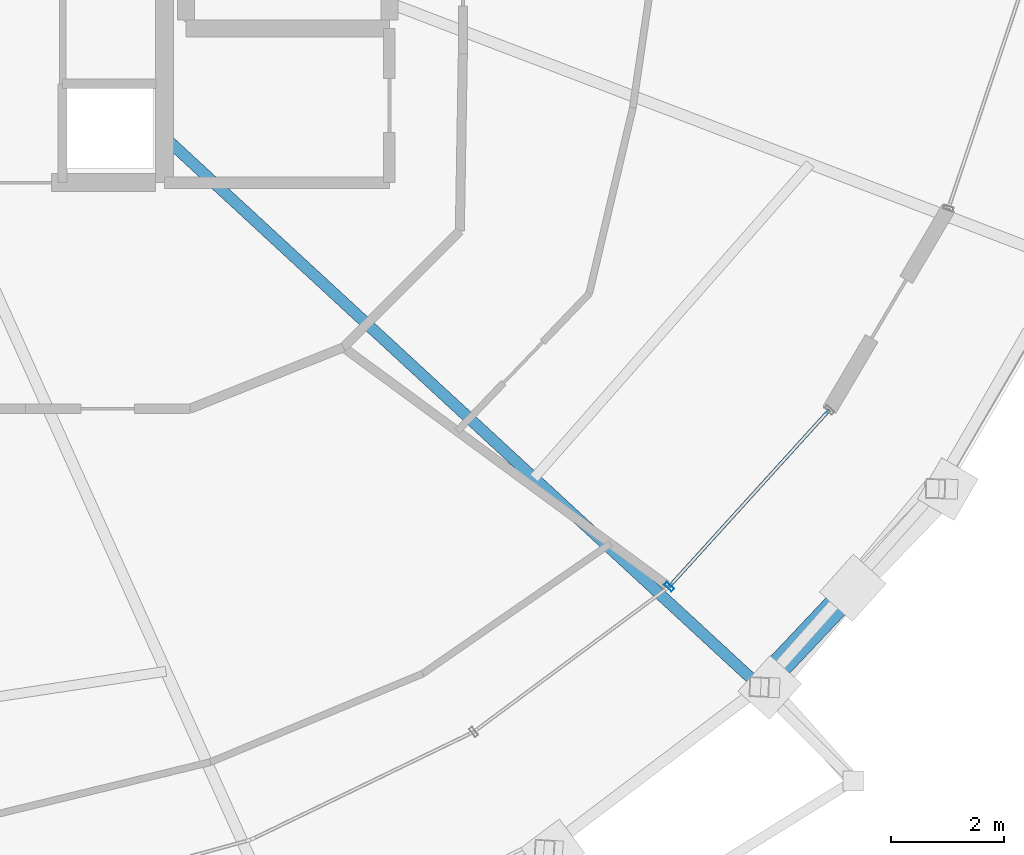
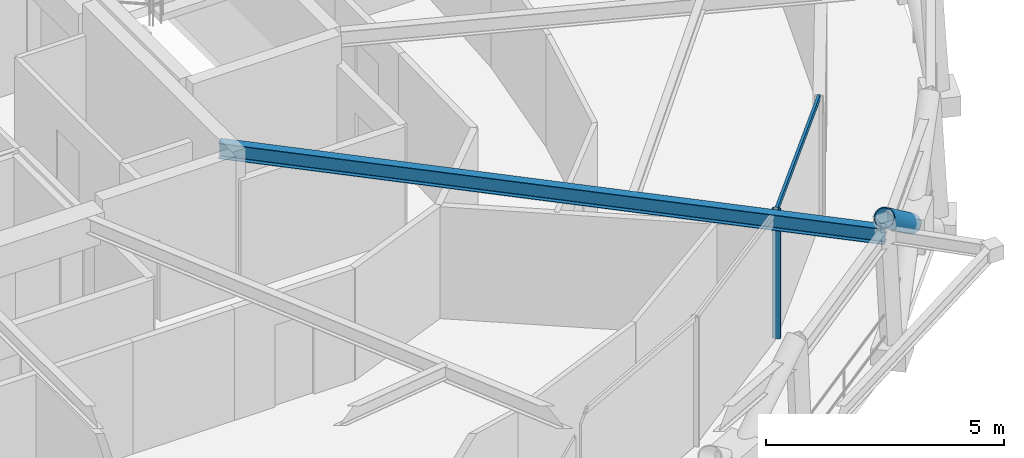
# One storey, part 5 of 18: 3 members, 1 beam, 1 element without a shape of its own.
"""IFC4 building model written with IfcOpenShell, lengths in metres."""

from ifc_helpers import new_model, si_unit, direction, frame, origin, origin_2d, place, context, subcontext, project, spatial, hollow_rectangle, hollow_circle, i_section, extrude, material, layer, layer_set, material_profile, profile_set, type_object, element, aggregate, save


model = new_model("IFC4")

# Units and contexts
model_context = context("Model", 3, precision=1e-05, world=origin(), true_north=direction((0.0, 1.0)))
body_context = subcontext(model_context, "Body", "Model", "MODEL_VIEW")
ifc_project = project(units=[si_unit("LENGTHUNIT", "METRE"), si_unit("AREAUNIT", "SQUARE_METRE"), si_unit("VOLUMEUNIT", "CUBIC_METRE"), si_unit("PLANEANGLEUNIT", "RADIAN"), si_unit("MASSUNIT", "GRAM", prefix="KILO")], contexts=[model_context])

# Site, building, storey
site_placement = place(None, origin())
site = spatial("IfcSite", under=ifc_project, at=site_placement, CompositionType="ELEMENT")
building_placement = place(site_placement, origin())
building = spatial("IfcBuilding", under=site, at=building_placement, Name="Veldorina Hangang Commons", CompositionType="ELEMENT")
storey_placement = place(building_placement, frame((0.0, 0.0, 218.39990234375)))
storey = spatial("IfcBuildingStorey", under=building, at=storey_placement, Name="L56", CompositionType="ELEMENT", Elevation=218.39990234375)

# Beam
ifc_material_1 = material(Name="Steel SM355-TMC", Category="steel")
ifc_material_profile_1 = material_profile(ifc_material_1, i_section(OverallWidth=0.199951171875, OverallDepth=0.39990234375, WebThickness=0.008056640625, FlangeThickness=0.012939453125, FilletRadius=0.012939453125, at=origin_2d()), Name="H-400x200x8x13")
ifc_profile_set_1 = profile_set([ifc_material_profile_1], Name="Steel SM355-TMC")
beam_type = type_object("IfcBeamType", Name="BM-FG400", PredefinedType="BEAM", material=ifc_profile_set_1)
beam_placement = place(storey_placement, frame((39.199951171875, 17.357421875, 3.16015625), z_axis=(0.734994512793, -0.678073053707, 0.0), x_axis=(0.678073053707, 0.734994512793, 0.0)))
element("IfcBeam", 1, at=beam_placement, inside=storey, type_object=beam_type, Name="L56 radial floor girder 15", PredefinedType="BEAM", context=body_context, shape_type="SweptSolid", body=[
    extrude(i_section(OverallWidth=0.199951171875, OverallDepth=0.39990234375, WebThickness=0.008056640625, FlangeThickness=0.012939453125, FilletRadius=0.012939453125, at=origin_2d()), origin(), (0.0, 0.0, 1.0), 14.351318359375),
])

# Curtain wall, members
ifc_material_2 = material(Name="Glass Low-E Selective", Category="glass")
ifc_layer = layer(ifc_material_2, 0.179931640625)
ifc_layer_set = layer_set([ifc_layer], Name="Glass Low-E Selective")
curtain_wall_type = type_object("IfcCurtainWallType", Name="CW-SYS-Z3", PredefinedType="NOTDEFINED", material=ifc_layer_set)
curtain_wall_placement = place(storey_placement, origin())
curtain_wall = element("IfcCurtainWall", 2, at=curtain_wall_placement, inside=storey, type_object=curtain_wall_type, Name="L56 unitised curtain wall CW-L56-R1", PredefinedType="NOTDEFINED")
ifc_material_3 = material(Name="Aluminium Anodized AA6063-T6", Category="aluminium")
ifc_material_profile_2 = material_profile(ifc_material_3, hollow_rectangle(XDim=0.070068359375, YDim=0.179931640625, WallThickness=0.00390625, at=origin_2d()), Name="ALU-RHS-180x70x4")
ifc_profile_set_2 = profile_set([ifc_material_profile_2], Name="Aluminium Anodized AA6063-T6")
member_type_1 = type_object("IfcMemberType", Name="CW-MUL-180", PredefinedType="MULLION", material=ifc_profile_set_2)
member_1_placement = place(storey_placement, frame((48.128173828125, 9.400634765625, 0.0), z_axis=(0.0, 0.0, 1.0), x_axis=(0.671668869769, 0.740851489425, 0.0)))
member_1 = element("IfcMember", 3, at=member_1_placement, type_object=member_type_1, Name="CW-L56-R1 vertical mullion 3", PredefinedType="MULLION", context=body_context, shape_type="SweptSolid", body=[
    extrude(hollow_rectangle(XDim=0.070068359375, YDim=0.179931640625, WallThickness=0.00390625, at=origin_2d()), origin(), (0.0, 0.0, 1.0), 3.320068359375),
])
ifc_material_profile_3 = material_profile(ifc_material_3, hollow_rectangle(XDim=0.06005859375, YDim=0.139892578125, WallThickness=0.00341796875, at=origin_2d()), Name="ALU-RHS-140x60x3.5")
ifc_profile_set_3 = profile_set([ifc_material_profile_3], Name="Aluminium Anodized AA6063-T6")
member_type_2 = type_object("IfcMemberType", Name="CW-TRN-140", PredefinedType="USERDEFINED", material=ifc_profile_set_3)
member_2_placement = place(storey_placement, frame((48.128173828125, 9.400634765625, 3.280029296875), z_axis=(0.671659277406, 0.740860185915, 0.0), x_axis=(-0.740860185915, 0.671659277406, 0.0)))
member_2 = element("IfcMember", 4, at=member_2_placement, type_object=member_type_2, Name="CW-L56-R1 facet 4 transom 1", ObjectType="TRANSOM", PredefinedType="USERDEFINED", context=body_context, shape_type="SweptSolid", body=[
    extrude(hollow_rectangle(XDim=0.06005859375, YDim=0.139892578125, WallThickness=0.00341796875, at=origin_2d()), origin(), (0.0, 0.0, 1.0), 4.222900390625),
])
aggregate(curtain_wall, [member_1, member_2])

# Member
ifc_material_profile_4 = material_profile(ifc_material_1, hollow_circle(Radius=0.22509765625, WallThickness=0.02197265625, at=origin_2d()), Name="CHS-450x22")
ifc_profile_set_4 = profile_set([ifc_material_profile_4], Name="Steel SM355-TMC")
member_type_3 = type_object("IfcMemberType", Name="DG-CHS450", PredefinedType="BRACE", material=ifc_profile_set_4)
member_3_placement = place(storey_placement, frame((51.37939453125, 9.381591796875, 1.804443359375), z_axis=(-0.550468635904, -0.583431802006, 0.597152922872), x_axis=(0.727355520509, -0.686260844566, 0.0)))
element("IfcMember", 5, at=member_3_placement, inside=storey, type_object=member_type_3, Name="L56 split perimeter diagrid upper brace 29", PredefinedType="BRACE", context=body_context, shape_type="SweptSolid", body=[
    extrude(hollow_circle(Radius=0.22509765625, WallThickness=0.02197265625, at=origin_2d()), origin(), (0.0, 0.0, 1.0), 3.007080078125),
])

save(model, "model.ifc")
